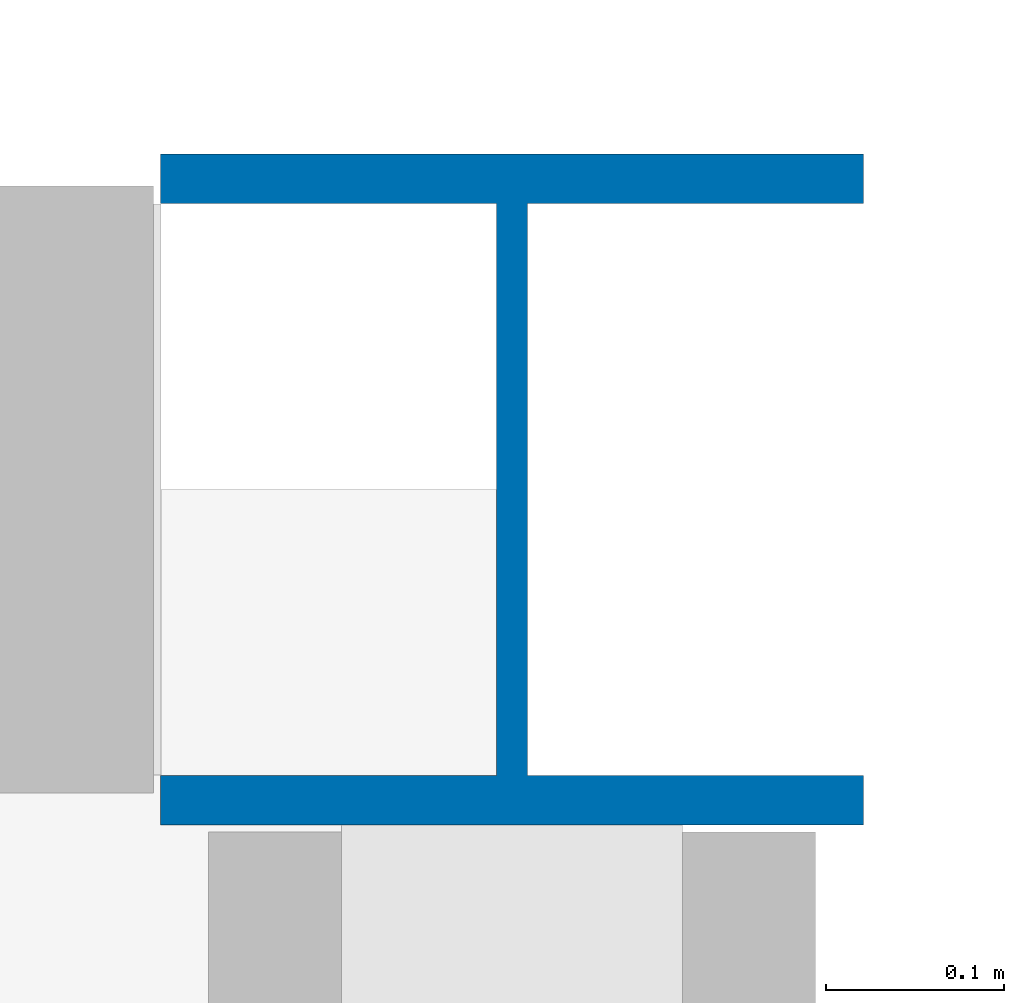
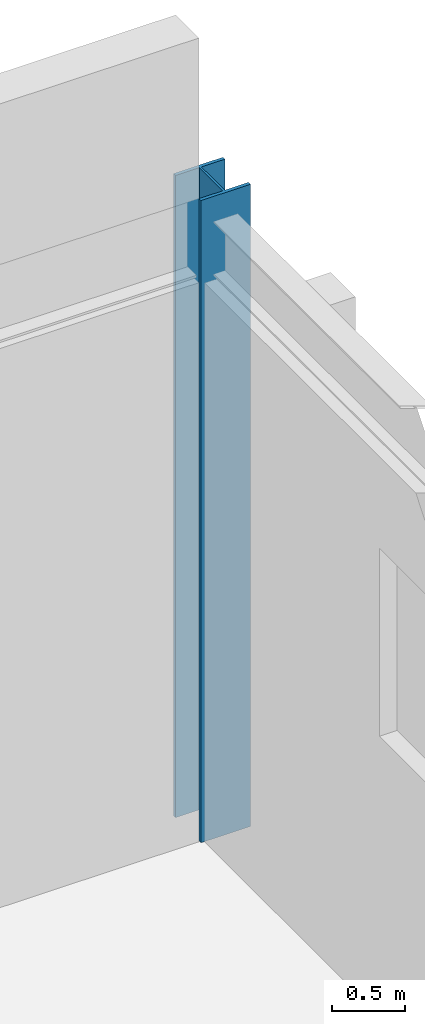
# One storey, part 4 of 10: 1 column.
"""IFC4 building model written with IfcOpenShell, lengths in metres."""

from ifc_helpers import new_model, si_unit, direction, frame, origin, origin_2d, place, context, subcontext, project, spatial, i_section, extrude, material, material_profile, profile_set, type_object, element, save


model = new_model("IFC4")

# Units and contexts
model_context = context("Model", 3, precision=1e-05, world=origin(), true_north=direction((0.0, 1.0)))
body_context = subcontext(model_context, "Body", "Model", "MODEL_VIEW")
ifc_project = project(units=[si_unit("LENGTHUNIT", "METRE"), si_unit("AREAUNIT", "SQUARE_METRE"), si_unit("VOLUMEUNIT", "CUBIC_METRE"), si_unit("PLANEANGLEUNIT", "RADIAN"), si_unit("MASSUNIT", "GRAM", prefix="KILO")], contexts=[model_context])

# Site, building, storey
site_placement = place(None, origin())
site = spatial("IfcSite", under=ifc_project, at=site_placement, CompositionType="ELEMENT")
building_placement = place(site_placement, origin())
building = spatial("IfcBuilding", under=site, at=building_placement, Name="Cimatlan Art Gallery", CompositionType="ELEMENT")
storey_placement = place(building_placement, frame((0.0, 0.0, 21.0)))
storey = spatial("IfcBuildingStorey", under=building, at=storey_placement, Name="L05", CompositionType="ELEMENT", Elevation=21.0)

# Column
ifc_material = material(Name="Steel ASTM A992 Grade 50", Category="steel")
ifc_material_profile = material_profile(ifc_material, i_section(OverallWidth=0.39404296875, OverallDepth=0.3759765625, WebThickness=0.017333984375, FlangeThickness=0.027587890625, at=origin_2d()), Name="W14X145")
ifc_profile_set = profile_set([ifc_material_profile], Name="Steel ASTM A992 Grade 50")
column_type = type_object("IfcColumnType", Name="COL-STL-W14X145", PredefinedType="COLUMN", material=ifc_profile_set)
column_placement = place(storey_placement, frame((99.199951171875, 83.10009765625, 0.0), z_axis=(0.0, 0.0, 1.0), x_axis=(1.0, 0.0, 0.0)))
element("IfcColumn", 1, at=column_placement, inside=storey, type_object=column_type, Name="COL-L05-12-11", PredefinedType="COLUMN", context=body_context, shape_type="SweptSolid", body=[
    extrude(i_section(OverallWidth=0.39404296875, OverallDepth=0.3759765625, WebThickness=0.017333984375, FlangeThickness=0.027587890625, at=origin_2d()), origin(), (0.0, 0.0, 1.0), 5.39990234375),
])

save(model, "model.ifc")
